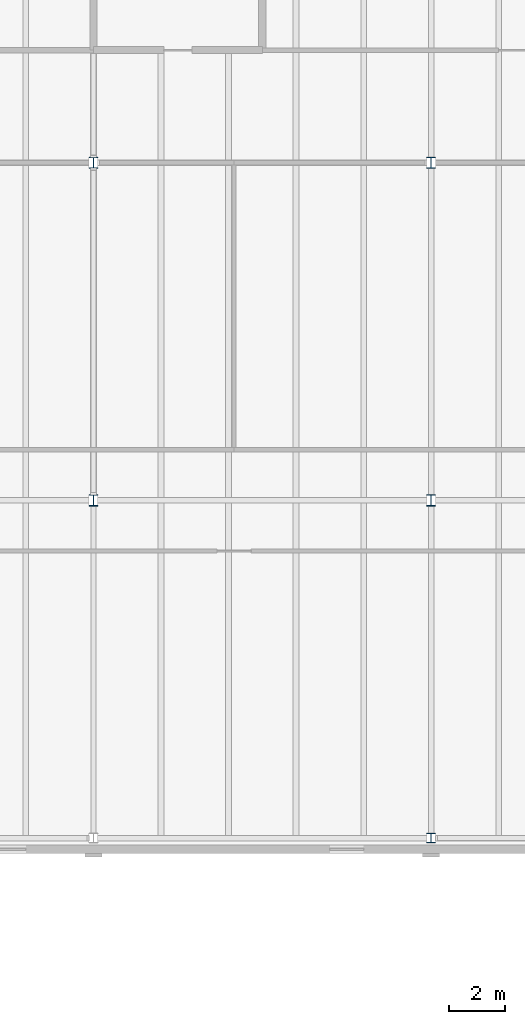
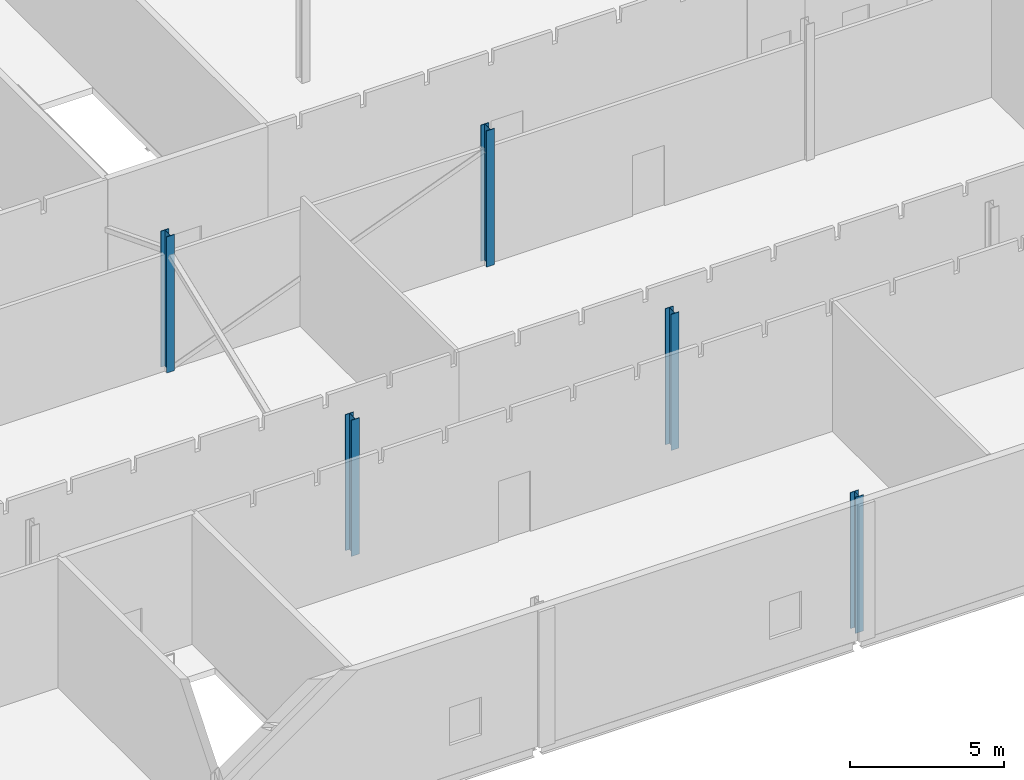
# One storey, part 4 of 321: 5 columns.
"""IFC4 building model written with IfcOpenShell, lengths in metres."""

from ifc_helpers import new_model, si_unit, direction, frame, origin, origin_2d, place, context, subcontext, project, spatial, i_section, extrude, material, material_profile, profile_set, type_object, element, save


model = new_model("IFC4")

# Units and contexts
model_context = context("Model", 3, precision=1e-05, world=origin(), true_north=direction((0.0, 1.0)))
body_context = subcontext(model_context, "Body", "Model", "MODEL_VIEW")
ifc_project = project(units=[si_unit("LENGTHUNIT", "METRE"), si_unit("AREAUNIT", "SQUARE_METRE"), si_unit("VOLUMEUNIT", "CUBIC_METRE"), si_unit("PLANEANGLEUNIT", "RADIAN"), si_unit("MASSUNIT", "GRAM", prefix="KILO")], contexts=[model_context])

# Site, building, storey
site_placement = place(None, origin())
site = spatial("IfcSite", under=ifc_project, at=site_placement, CompositionType="ELEMENT")
building_placement = place(site_placement, origin())
building = spatial("IfcBuilding", under=site, at=building_placement, Name="Ravi Spectrum Wholesale Market", CompositionType="ELEMENT")
storey_placement = place(building_placement, frame((0.0, 0.0, 10.800048828125)))
storey = spatial("IfcBuildingStorey", under=building, at=storey_placement, Name="L02", CompositionType="ELEMENT", Elevation=10.800048828125)

# Columns
ifc_material_1 = material(Name="Steel S355", Category="steel")
ifc_material_profile_1 = material_profile(ifc_material_1, i_section(OverallWidth=0.300048828125, OverallDepth=0.340087890625, WebThickness=0.011962890625, FlangeThickness=0.021484375, at=origin_2d()))
ifc_profile_set_1 = profile_set([ifc_material_profile_1], Name="Steel S355")
column_type_1 = type_object("IfcColumnType", Name="HEB 340 column", PredefinedType="COLUMN", material=ifc_profile_set_1)
column_placement = place(storey_placement, frame((258.0, 18.0, 0.0), z_axis=(0.0, 0.0, 1.0), x_axis=(1.0, 0.0, 0.0)))
element("IfcColumn", 1, at=column_placement, inside=storey, type_object=column_type_1, Name="CS-COL-L02-026", PredefinedType="COLUMN", context=body_context, shape_type="SweptSolid", body=[
    extrude(i_section(OverallWidth=0.300048828125, OverallDepth=0.340087890625, WebThickness=0.011962890625, FlangeThickness=0.021484375, at=origin_2d()), origin(), (0.0, 0.0, 1.0), 5.39990234375),
])
ifc_material_2 = material(Name="Steel S355", Category="steel")
ifc_material_profile_2 = material_profile(ifc_material_2, i_section(OverallWidth=0.300048828125, OverallDepth=0.39990234375, WebThickness=0.013427734375, FlangeThickness=0.02392578125, at=origin_2d()))
ifc_profile_set_2 = profile_set([ifc_material_profile_2], Name="Steel S355")
column_type_2 = type_object("IfcColumnType", Name="HEB 400 column", PredefinedType="COLUMN", material=ifc_profile_set_2)
for number, where, z_axis, x_axis, name in (
    (2, (246.0, 30.0, 0.0), (0.0, 0.0, 1.0), (1.0, 0.0, 0.0), "CS-COL-L02-022"),
    (3, (246.0, 42.0, 0.0), (0.0, 0.0, 1.0), (1.0, 0.0, 0.0), "CS-COL-L02-023"),
    (4, (258.0, 30.0, 0.0), (0.0, 0.0, 1.0), (1.0, 0.0, 0.0), "CS-COL-L02-027"),
    (5, (258.0, 42.0, 0.0), (0.0, 0.0, 1.0), (1.0, 0.0, 0.0), "CS-COL-L02-028"),
):
    element("IfcColumn", number, at=place(storey_placement, frame(where, z_axis=z_axis, x_axis=x_axis)), inside=storey, type_object=column_type_2, Name=name, PredefinedType="COLUMN", context=body_context, shape_type="SweptSolid", body=[
        extrude(i_section(OverallWidth=0.300048828125, OverallDepth=0.39990234375, WebThickness=0.013427734375, FlangeThickness=0.02392578125, at=origin_2d()), origin(), (0.0, 0.0, 1.0), 5.39990234375),
    ])

save(model, "model.ifc")
